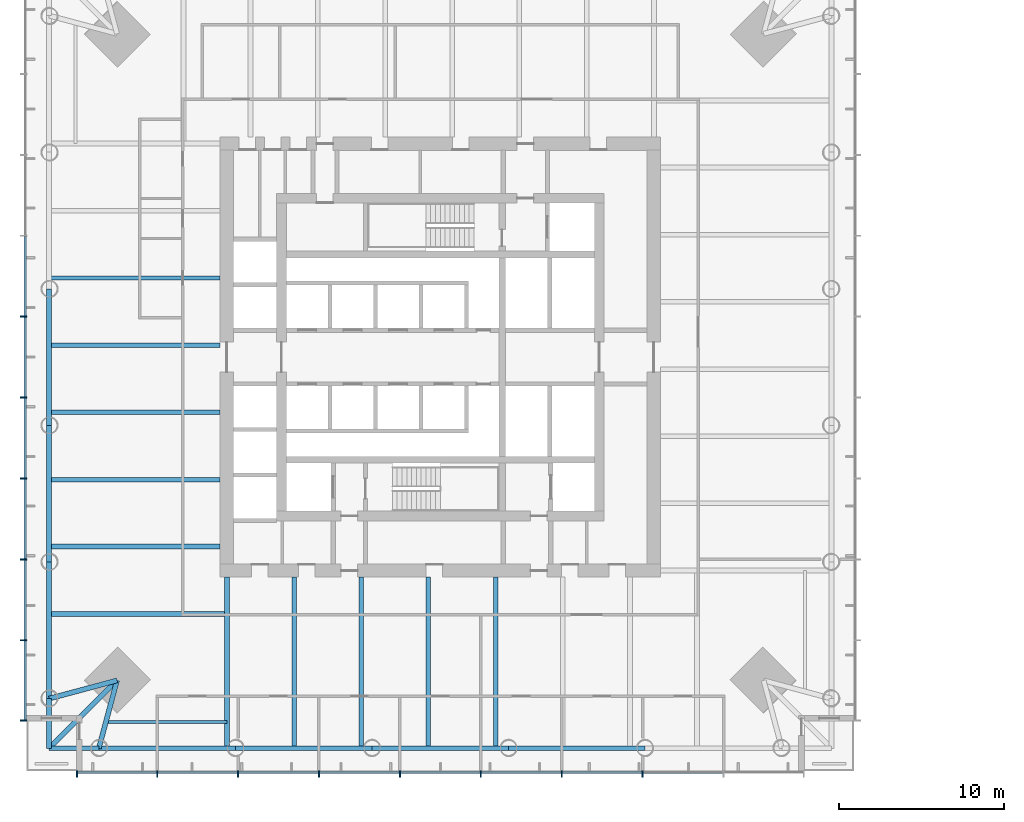
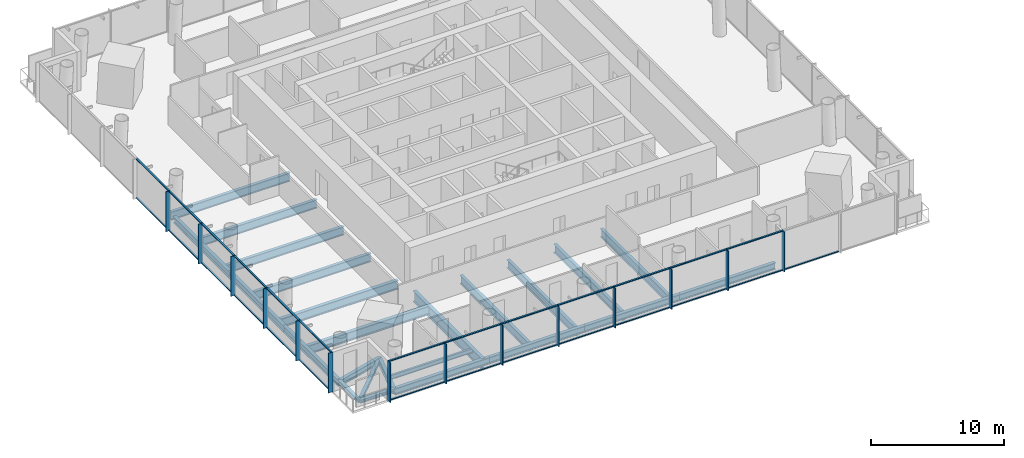
# One storey, part 2 of 21: 41 members, 24 beams, 2 elements without a shape of their own.
"""IFC4 building model written with IfcOpenShell, lengths in metres."""

from ifc_helpers import new_model, si_unit, direction, frame, origin, origin_2d, place, context, subcontext, project, spatial, rectangle, i_section, extrude, material, material_profile, profile_set, type_object, element, aggregate, save


model = new_model("IFC4")

# Units and contexts
model_context = context("Model", 3, precision=1e-05, world=origin(), true_north=direction((0.0, 1.0)))
body_context = subcontext(model_context, "Body", "Model", "MODEL_VIEW")
ifc_project = project(units=[si_unit("LENGTHUNIT", "METRE"), si_unit("AREAUNIT", "SQUARE_METRE"), si_unit("VOLUMEUNIT", "CUBIC_METRE"), si_unit("PLANEANGLEUNIT", "RADIAN"), si_unit("MASSUNIT", "GRAM", prefix="KILO")], contexts=[model_context])

# Site, building, storey
site_placement = place(None, origin())
site = spatial("IfcSite", under=ifc_project, at=site_placement, CompositionType="ELEMENT")
building_placement = place(site_placement, origin())
building = spatial("IfcBuilding", under=site, at=building_placement, Name="Ostroluk Exchange", CompositionType="ELEMENT")
storey_placement = place(building_placement, frame((0.0, 0.0, 32.39990234375)))
storey = spatial("IfcBuildingStorey", under=building, at=storey_placement, Name="L07", CompositionType="ELEMENT", Elevation=32.39990234375)

# Beams
ifc_material_1 = material(Name="Steel S355", Category="steel")
ifc_material_profile_1 = material_profile(ifc_material_1, i_section(OverallWidth=0.300048828125, OverallDepth=0.300048828125, WebThickness=0.010986328125, FlangeThickness=0.01904296875, FilletRadius=0.027099609375, at=origin_2d()), Name="HEB 300")
ifc_profile_set_1 = profile_set([ifc_material_profile_1], Name="Steel S355")
beam_type_1 = type_object("IfcBeamType", Name="Balcony beam HEB 300", PredefinedType="BEAM", material=ifc_profile_set_1)
for number, where, z_axis, x_axis, name in (
    (1, (21.3642578125, 25.3642578125, -0.329833984375), (0.0, -1.0, 0.0), (1.0, 0.0, 0.0), "T1 west balcony beam a"),
    (2, (24.3642578125, 22.3642578125, -0.329833984375), (-1.0, 0.0, 0.0), (0.0, -1.0, 0.0), "T1 west balcony beam b"),
):
    element("IfcBeam", number, at=place(storey_placement, frame(where, z_axis=z_axis, x_axis=x_axis)), inside=storey, type_object=beam_type_1, Name=name, PredefinedType="BEAM", context=body_context, shape_type="SweptSolid", body=[
        extrude(i_section(OverallWidth=0.300048828125, OverallDepth=0.300048828125, WebThickness=0.010986328125, FlangeThickness=0.01904296875, FilletRadius=0.027099609375, at=origin_2d()), origin(), (0.0, 0.0, 1.0), 3.0),
    ])
beam_1_placement = place(storey_placement, frame((25.46435546875, 26.46435546875, -0.329833984375), z_axis=(-0.707106781187, -0.707106781187, 0.0), x_axis=(0.707106781187, -0.707106781187, 0.0)))
element("IfcBeam", 3, at=beam_1_placement, inside=storey, type_object=beam_type_1, Name="T1 west balcony beam c", PredefinedType="BEAM", context=body_context, shape_type="SweptSolid", body=[
    extrude(i_section(OverallWidth=0.300048828125, OverallDepth=0.300048828125, WebThickness=0.010986328125, FlangeThickness=0.01904296875, FilletRadius=0.027099609375, at=origin_2d()), origin(), (0.0, 0.0, 1.0), 5.79833984375),
])
ifc_material_2 = material(Name="Steel S355", Category="steel")
ifc_material_profile_2 = material_profile(ifc_material_2, i_section(OverallWidth=0.300048828125, OverallDepth=0.550048828125, WebThickness=0.014892578125, FlangeThickness=0.029052734375, FilletRadius=0.027099609375, at=origin_2d()), Name="HEB 550")
ifc_profile_set_2 = profile_set([ifc_material_profile_2], Name="Steel S355")
beam_type_2 = type_object("IfcBeamType", Name="Corner edge beam HEB 550", PredefinedType="SPANDREL", material=ifc_profile_set_2)
for number, where, z_axis, x_axis, name in (
    (4, (25.46435546875, 26.46435546875, -0.454833984375), (-0.965838624319, -0.259144268261, 0.0), (0.259144268261, -0.965838624319, 0.0), "T1 west corner edge beam a"),
    (5, (25.46435546875, 26.46435546875, -0.454833984375), (-0.259144268261, -0.965838624319, 0.0), (0.965838624319, -0.259144268261, 0.0), "T1 west corner edge beam b"),
):
    element("IfcBeam", number, at=place(storey_placement, frame(where, z_axis=z_axis, x_axis=x_axis)), inside=storey, type_object=beam_type_2, Name=name, PredefinedType="SPANDREL", context=body_context, shape_type="SweptSolid", body=[
        extrude(i_section(OverallWidth=0.300048828125, OverallDepth=0.550048828125, WebThickness=0.014892578125, FlangeThickness=0.029052734375, FilletRadius=0.027099609375, at=origin_2d()), origin(), (0.0, 0.0, 1.0), 4.2451171875),
    ])
ifc_material_3 = material(Name="Steel S355", Category="steel")
ifc_material_profile_3 = material_profile(ifc_material_3, i_section(OverallWidth=0.302978515625, OverallDepth=0.81396484375, WebThickness=0.02099609375, FlangeThickness=0.0400390625, FilletRadius=0.030029296875, at=origin_2d()), Name="HEM 800")
ifc_profile_set_3 = profile_set([ifc_material_profile_3], Name="Steel S355")
beam_type_3 = type_object("IfcBeamType", Name="Floor beam HEM 800", PredefinedType="BEAM", material=ifc_profile_set_3)
beam_2_placement = place(storey_placement, frame((31.699951171875, 34.54296875, -0.5869140625), z_axis=(-1.0, 0.0, 0.0), x_axis=(0.0, -1.0, 0.0)))
element("IfcBeam", 6, at=beam_2_placement, inside=storey, type_object=beam_type_3, Name="T1 west floor beam 6", PredefinedType="BEAM", context=body_context, shape_type="SweptSolid", body=[
    extrude(i_section(OverallWidth=0.302978515625, OverallDepth=0.81396484375, WebThickness=0.02099609375, FlangeThickness=0.0400390625, FilletRadius=0.030029296875, at=origin_2d()), origin(), (0.0, 0.0, 1.0), 10.335693359375),
])
beam_3_placement = place(storey_placement, frame((32.10009765625, 30.4833984375, -0.5869140625), z_axis=(-1.0, 0.0, 0.0), x_axis=(0.0, -1.0, 0.0)))
element("IfcBeam", 7, at=beam_3_placement, inside=storey, type_object=beam_type_3, Name="T1 west floor beam 7", PredefinedType="BEAM", context=body_context, shape_type="SweptSolid", body=[
    extrude(i_section(OverallWidth=0.302978515625, OverallDepth=0.81396484375, WebThickness=0.02099609375, FlangeThickness=0.0400390625, FilletRadius=0.030029296875, at=origin_2d()), origin(), (0.0, 0.0, 1.0), 10.73583984375),
])
ifc_material_4 = material(Name="Steel S355", Category="steel")
ifc_material_profile_4 = material_profile(ifc_material_4, i_section(OverallWidth=0.179931640625, OverallDepth=0.39990234375, WebThickness=0.008544921875, FlangeThickness=0.013427734375, FilletRadius=0.02099609375, at=origin_2d()), Name="IPE 400")
ifc_profile_set_4 = profile_set([ifc_material_profile_4], Name="Steel S355")
beam_type_4 = type_object("IfcBeamType", Name="Floor beam IPE 400", PredefinedType="BEAM", material=ifc_profile_set_4)
beam_4_placement = place(storey_placement, frame((32.10009765625, 23.96435546875, -0.3798828125), z_axis=(-1.0, 0.0, 0.0), x_axis=(0.0, -1.0, 0.0)))
element("IfcBeam", 8, at=beam_4_placement, inside=storey, type_object=beam_type_4, Name="T1 west floor beam 8", PredefinedType="BEAM", context=body_context, shape_type="SweptSolid", body=[
    extrude(i_section(OverallWidth=0.179931640625, OverallDepth=0.39990234375, WebThickness=0.008544921875, FlangeThickness=0.013427734375, FilletRadius=0.02099609375, at=origin_2d()), origin(), (0.0, 0.0, 1.0), 7.306640625),
])
ifc_material_5 = material(Name="Steel S355", Category="steel")
ifc_material_profile_5 = material_profile(ifc_material_5, i_section(OverallWidth=0.26806640625, OverallDepth=0.77001953125, WebThickness=0.015625, FlangeThickness=0.025390625, FilletRadius=0.01708984375, at=origin_2d()), Name="IPE 750x196")
ifc_profile_set_5 = profile_set([ifc_material_profile_5], Name="Steel S355")
beam_type_5 = type_object("IfcBeamType", Name="Floor beam IPE 750x196", PredefinedType="BEAM", material=ifc_profile_set_5)
for number, where, z_axis, x_axis, name in (
    (9, (31.699951171875, 50.781005859375, -0.56494140625), (-1.0, 0.0, 0.0), (0.0, -1.0, 0.0), "T1 west floor beam 2"),
    (10, (31.699951171875, 46.721435546875, -0.56494140625), (-1.0, 0.0, 0.0), (0.0, -1.0, 0.0), "T1 west floor beam 3"),
    (11, (31.699951171875, 42.661865234375, -0.56494140625), (-1.0, 0.0, 0.0), (0.0, -1.0, 0.0), "T1 west floor beam 4"),
    (12, (31.699951171875, 38.602294921875, -0.56494140625), (-1.0, 0.0, 0.0), (0.0, -1.0, 0.0), "T1 west floor beam 5"),
    (13, (36.159423828125, 32.699951171875, -0.56494140625), (0.0, -1.0, 0.0), (1.0, 0.0, 0.0), "T1 south floor beam 1"),
    (14, (40.218994140625, 32.699951171875, -0.56494140625), (0.0, -1.0, 0.0), (1.0, 0.0, 0.0), "T1 south floor beam 2"),
    (15, (44.278564453125, 32.699951171875, -0.56494140625), (0.0, -1.0, 0.0), (1.0, 0.0, 0.0), "T1 south floor beam 3"),
    (16, (48.338134765625, 32.699951171875, -0.56494140625), (0.0, -1.0, 0.0), (1.0, 0.0, 0.0), "T1 south floor beam 4"),
):
    element("IfcBeam", number, at=place(storey_placement, frame(where, z_axis=z_axis, x_axis=x_axis)), inside=storey, type_object=beam_type_5, Name=name, PredefinedType="BEAM", context=body_context, shape_type="SweptSolid", body=[
        extrude(i_section(OverallWidth=0.26806640625, OverallDepth=0.77001953125, WebThickness=0.015625, FlangeThickness=0.025390625, FilletRadius=0.01708984375, at=origin_2d()), origin(), (0.0, 0.0, 1.0), 10.335693359375),
    ])
ifc_material_6 = material(Name="Steel S355", Category="steel")
ifc_material_profile_6 = material_profile(ifc_material_6, i_section(OverallWidth=0.302001953125, OverallDepth=1.008056640625, WebThickness=0.02099609375, FlangeThickness=0.0400390625, FilletRadius=0.030029296875, at=origin_2d()), Name="HEM 1000")
ifc_profile_set_6 = profile_set([ifc_material_profile_6], Name="Steel S355")
beam_type_6 = type_object("IfcBeamType", Name="Girder HEM 1000", PredefinedType="BEAM", material=ifc_profile_set_6)
beam_5_placement = place(storey_placement, frame((32.10009765625, 32.699951171875, -0.683837890625), z_axis=(0.0, -1.0, 0.0), x_axis=(1.0, 0.0, 0.0)))
element("IfcBeam", 17, at=beam_5_placement, inside=storey, type_object=beam_type_6, Name="T1 west girder", PredefinedType="BEAM", context=body_context, shape_type="SweptSolid", body=[
    extrude(i_section(OverallWidth=0.302001953125, OverallDepth=1.008056640625, WebThickness=0.02099609375, FlangeThickness=0.0400390625, FilletRadius=0.030029296875, at=origin_2d()), origin(), (0.0, 0.0, 1.0), 10.335693359375),
])
ifc_material_7 = material(Name="Steel S355", Category="steel")
ifc_material_profile_7 = material_profile(ifc_material_7, i_section(OverallWidth=0.300048828125, OverallDepth=0.60009765625, WebThickness=0.015380859375, FlangeThickness=0.030029296875, FilletRadius=0.027099609375, at=origin_2d()), Name="HEB 600")
ifc_profile_set_7 = profile_set([ifc_material_profile_7], Name="Steel S355")
beam_type_7 = type_object("IfcBeamType", Name="Moment-connected edge beam HEB 600", PredefinedType="SPANDREL", material=ifc_profile_set_7)
beam_6_placement = place(storey_placement, frame((21.3642578125, 50.127197265625, -0.47998046875), z_axis=(0.0, -1.0, 0.0), x_axis=(1.0, 0.0, 0.0)))
element("IfcBeam", 18, at=beam_6_placement, inside=storey, type_object=beam_type_7, Name="T1 west edge beam 3", PredefinedType="SPANDREL", context=body_context, shape_type="SweptSolid", body=[
    extrude(i_section(OverallWidth=0.300048828125, OverallDepth=0.60009765625, WebThickness=0.015380859375, FlangeThickness=0.030029296875, FilletRadius=0.027099609375, at=origin_2d()), origin(), (0.0, 0.0, 1.0), 8.25439453125),
])
beam_7_placement = place(storey_placement, frame((21.3642578125, 41.872802734375, -0.47998046875), z_axis=(0.0, -1.0, 0.0), x_axis=(1.0, 0.0, 0.0)))
element("IfcBeam", 19, at=beam_7_placement, inside=storey, type_object=beam_type_7, Name="T1 west edge beam 4", PredefinedType="SPANDREL", context=body_context, shape_type="SweptSolid", body=[
    extrude(i_section(OverallWidth=0.300048828125, OverallDepth=0.60009765625, WebThickness=0.015380859375, FlangeThickness=0.030029296875, FilletRadius=0.027099609375, at=origin_2d()), origin(), (0.0, 0.0, 1.0), 8.254150390625),
])
for number, where, z_axis, x_axis, name in (
    (20, (21.3642578125, 33.61865234375, -0.47998046875), (0.0, -1.0, 0.0), (1.0, 0.0, 0.0), "T1 west edge beam 5"),
    (21, (24.3642578125, 22.3642578125, -0.47998046875), (1.0, 0.0, 0.0), (0.0, 1.0, 0.0), "T1 south edge beam 1"),
):
    element("IfcBeam", number, at=place(storey_placement, frame(where, z_axis=z_axis, x_axis=x_axis)), inside=storey, type_object=beam_type_7, Name=name, PredefinedType="SPANDREL", context=body_context, shape_type="SweptSolid", body=[
        extrude(i_section(OverallWidth=0.300048828125, OverallDepth=0.60009765625, WebThickness=0.015380859375, FlangeThickness=0.030029296875, FilletRadius=0.027099609375, at=origin_2d()), origin(), (0.0, 0.0, 1.0), 8.25439453125),
    ])
beam_8_placement = place(storey_placement, frame((32.61865234375, 22.3642578125, -0.47998046875), z_axis=(1.0, 0.0, 0.0), x_axis=(0.0, 1.0, 0.0)))
element("IfcBeam", 22, at=beam_8_placement, inside=storey, type_object=beam_type_7, Name="T1 south edge beam 2", PredefinedType="SPANDREL", context=body_context, shape_type="SweptSolid", body=[
    extrude(i_section(OverallWidth=0.300048828125, OverallDepth=0.60009765625, WebThickness=0.015380859375, FlangeThickness=0.030029296875, FilletRadius=0.027099609375, at=origin_2d()), origin(), (0.0, 0.0, 1.0), 8.254150390625),
])
beam_9_placement = place(storey_placement, frame((40.872802734375, 22.3642578125, -0.47998046875), z_axis=(1.0, 0.0, 0.0), x_axis=(0.0, 1.0, 0.0)))
element("IfcBeam", 23, at=beam_9_placement, inside=storey, type_object=beam_type_7, Name="T1 south edge beam 3", PredefinedType="SPANDREL", context=body_context, shape_type="SweptSolid", body=[
    extrude(i_section(OverallWidth=0.300048828125, OverallDepth=0.60009765625, WebThickness=0.015380859375, FlangeThickness=0.030029296875, FilletRadius=0.027099609375, at=origin_2d()), origin(), (0.0, 0.0, 1.0), 8.25439453125),
])
beam_10_placement = place(storey_placement, frame((49.127197265625, 22.3642578125, -0.47998046875), z_axis=(1.0, 0.0, 0.0), x_axis=(0.0, 1.0, 0.0)))
element("IfcBeam", 24, at=beam_10_placement, inside=storey, type_object=beam_type_7, Name="T1 south edge beam 4", PredefinedType="SPANDREL", context=body_context, shape_type="SweptSolid", body=[
    extrude(i_section(OverallWidth=0.300048828125, OverallDepth=0.60009765625, WebThickness=0.015380859375, FlangeThickness=0.030029296875, FilletRadius=0.027099609375, at=origin_2d()), origin(), (0.0, 0.0, 1.0), 8.254150390625),
])

# Curtain wall, members
ifc_material_8 = material(Name="Laminated clear glass", Category="glass")
curtain_wall_type = type_object("IfcCurtainWallType", Name="Office tower facade", PredefinedType="USERDEFINED", material=ifc_material_8)
curtain_wall_1_placement = place(storey_placement, origin())
curtain_wall_1 = element("IfcCurtainWall", 25, at=curtain_wall_1_placement, inside=storey, type_object=curtain_wall_type, Name="Office tower south facade L07", ObjectType="UNITISED CURTAIN WALL", PredefinedType="USERDEFINED")
ifc_material_9 = material(Name="Aluminium mullion", Category="aluminium")
ifc_material_profile_8 = material_profile(ifc_material_9, rectangle(XDim=0.14990234375, YDim=0.080078125, at=origin_2d()), Name="Sill transom 80 x 150")
ifc_profile_set_8 = profile_set([ifc_material_profile_8], Name="Aluminium mullion")
member_type_1 = type_object("IfcMemberType", Name="Sill transom 80 x 150", PredefinedType="USERDEFINED", material=ifc_profile_set_8)
member_1_placement = place(storey_placement, frame((23.080078125, 20.925048828125, 0.0400390625), z_axis=(1.0, 0.0, 0.0), x_axis=(0.0, 1.0, 0.0)))
member_1 = element("IfcMember", 26, at=member_1_placement, type_object=member_type_1, Name="CW-O1 transom 1.1", ObjectType="TRANSOM", PredefinedType="USERDEFINED", context=body_context, shape_type="SweptSolid", body=[
    extrude(rectangle(XDim=0.14990234375, YDim=0.080078125, at=origin_2d()), origin(), (0.0, 0.0, 1.0), 4.768798828125),
])
member_2_placement = place(storey_placement, frame((23.080078125, 20.925048828125, 3.610107421875), z_axis=(1.0, 0.0, 0.0), x_axis=(0.0, 1.0, 0.0)))
member_2 = element("IfcMember", 27, at=member_2_placement, type_object=member_type_1, Name="CW-O1 transom 1.2", ObjectType="TRANSOM", PredefinedType="USERDEFINED", context=body_context, shape_type="SweptSolid", body=[
    extrude(rectangle(XDim=0.14990234375, YDim=0.080078125, at=origin_2d()), origin(), (0.0, 0.0, 1.0), 4.768798828125),
])
member_3_placement = place(storey_placement, frame((27.928955078125, 20.925048828125, 0.0400390625), z_axis=(1.0, 0.0, 0.0), x_axis=(0.0, 1.0, 0.0)))
member_3 = element("IfcMember", 28, at=member_3_placement, type_object=member_type_1, Name="CW-O1 transom 2.1", ObjectType="TRANSOM", PredefinedType="USERDEFINED", context=body_context, shape_type="SweptSolid", body=[
    extrude(rectangle(XDim=0.14990234375, YDim=0.080078125, at=origin_2d()), origin(), (0.0, 0.0, 1.0), 4.808837890625),
])
member_4_placement = place(storey_placement, frame((27.928955078125, 20.925048828125, 3.610107421875), z_axis=(1.0, 0.0, 0.0), x_axis=(0.0, 1.0, 0.0)))
member_4 = element("IfcMember", 29, at=member_4_placement, type_object=member_type_1, Name="CW-O1 transom 2.2", ObjectType="TRANSOM", PredefinedType="USERDEFINED", context=body_context, shape_type="SweptSolid", body=[
    extrude(rectangle(XDim=0.14990234375, YDim=0.080078125, at=origin_2d()), origin(), (0.0, 0.0, 1.0), 4.808837890625),
])
member_5_placement = place(storey_placement, frame((32.81787109375, 20.925048828125, 0.0400390625), z_axis=(1.0, 0.0, 0.0), x_axis=(0.0, 1.0, 0.0)))
member_5 = element("IfcMember", 30, at=member_5_placement, type_object=member_type_1, Name="CW-O1 transom 3.1", ObjectType="TRANSOM", PredefinedType="USERDEFINED", context=body_context, shape_type="SweptSolid", body=[
    extrude(rectangle(XDim=0.14990234375, YDim=0.080078125, at=origin_2d()), origin(), (0.0, 0.0, 1.0), 4.808837890625),
])
member_6_placement = place(storey_placement, frame((32.81787109375, 20.925048828125, 3.610107421875), z_axis=(1.0, 0.0, 0.0), x_axis=(0.0, 1.0, 0.0)))
member_6 = element("IfcMember", 31, at=member_6_placement, type_object=member_type_1, Name="CW-O1 transom 3.2", ObjectType="TRANSOM", PredefinedType="USERDEFINED", context=body_context, shape_type="SweptSolid", body=[
    extrude(rectangle(XDim=0.14990234375, YDim=0.080078125, at=origin_2d()), origin(), (0.0, 0.0, 1.0), 4.808837890625),
])
member_7_placement = place(storey_placement, frame((37.706787109375, 20.925048828125, 0.0400390625), z_axis=(1.0, 0.0, 0.0), x_axis=(0.0, 1.0, 0.0)))
member_7 = element("IfcMember", 32, at=member_7_placement, type_object=member_type_1, Name="CW-O1 transom 4.1", ObjectType="TRANSOM", PredefinedType="USERDEFINED", context=body_context, shape_type="SweptSolid", body=[
    extrude(rectangle(XDim=0.14990234375, YDim=0.080078125, at=origin_2d()), origin(), (0.0, 0.0, 1.0), 4.808837890625),
])
member_8_placement = place(storey_placement, frame((37.706787109375, 20.925048828125, 3.610107421875), z_axis=(1.0, 0.0, 0.0), x_axis=(0.0, 1.0, 0.0)))
member_8 = element("IfcMember", 33, at=member_8_placement, type_object=member_type_1, Name="CW-O1 transom 4.2", ObjectType="TRANSOM", PredefinedType="USERDEFINED", context=body_context, shape_type="SweptSolid", body=[
    extrude(rectangle(XDim=0.14990234375, YDim=0.080078125, at=origin_2d()), origin(), (0.0, 0.0, 1.0), 4.808837890625),
])
member_9_placement = place(storey_placement, frame((42.595458984375, 20.925048828125, 0.0400390625), z_axis=(1.0, 0.0, 0.0), x_axis=(0.0, 1.0, 0.0)))
member_9 = element("IfcMember", 34, at=member_9_placement, type_object=member_type_1, Name="CW-O1 transom 5.1", ObjectType="TRANSOM", PredefinedType="USERDEFINED", context=body_context, shape_type="SweptSolid", body=[
    extrude(rectangle(XDim=0.14990234375, YDim=0.080078125, at=origin_2d()), origin(), (0.0, 0.0, 1.0), 4.80908203125),
])
member_10_placement = place(storey_placement, frame((42.595458984375, 20.925048828125, 3.610107421875), z_axis=(1.0, 0.0, 0.0), x_axis=(0.0, 1.0, 0.0)))
member_10 = element("IfcMember", 35, at=member_10_placement, type_object=member_type_1, Name="CW-O1 transom 5.2", ObjectType="TRANSOM", PredefinedType="USERDEFINED", context=body_context, shape_type="SweptSolid", body=[
    extrude(rectangle(XDim=0.14990234375, YDim=0.080078125, at=origin_2d()), origin(), (0.0, 0.0, 1.0), 4.80908203125),
])
member_11_placement = place(storey_placement, frame((47.484375, 20.925048828125, 0.0400390625), z_axis=(1.0, 0.0, 0.0), x_axis=(0.0, 1.0, 0.0)))
member_11 = element("IfcMember", 36, at=member_11_placement, type_object=member_type_1, Name="CW-O1 transom 6.1", ObjectType="TRANSOM", PredefinedType="USERDEFINED", context=body_context, shape_type="SweptSolid", body=[
    extrude(rectangle(XDim=0.14990234375, YDim=0.080078125, at=origin_2d()), origin(), (0.0, 0.0, 1.0), 4.808837890625),
])
member_12_placement = place(storey_placement, frame((47.484375, 20.925048828125, 3.610107421875), z_axis=(1.0, 0.0, 0.0), x_axis=(0.0, 1.0, 0.0)))
member_12 = element("IfcMember", 37, at=member_12_placement, type_object=member_type_1, Name="CW-O1 transom 6.2", ObjectType="TRANSOM", PredefinedType="USERDEFINED", context=body_context, shape_type="SweptSolid", body=[
    extrude(rectangle(XDim=0.14990234375, YDim=0.080078125, at=origin_2d()), origin(), (0.0, 0.0, 1.0), 4.808837890625),
])
member_13_placement = place(storey_placement, frame((52.373291015625, 20.925048828125, 0.0400390625), z_axis=(1.0, 0.0, 0.0), x_axis=(0.0, 1.0, 0.0)))
member_13 = element("IfcMember", 38, at=member_13_placement, type_object=member_type_1, Name="CW-O1 transom 7.1", ObjectType="TRANSOM", PredefinedType="USERDEFINED", context=body_context, shape_type="SweptSolid", body=[
    extrude(rectangle(XDim=0.14990234375, YDim=0.080078125, at=origin_2d()), origin(), (0.0, 0.0, 1.0), 4.808837890625),
])
member_14_placement = place(storey_placement, frame((52.373291015625, 20.925048828125, 3.610107421875), z_axis=(1.0, 0.0, 0.0), x_axis=(0.0, 1.0, 0.0)))
member_14 = element("IfcMember", 39, at=member_14_placement, type_object=member_type_1, Name="CW-O1 transom 7.2", ObjectType="TRANSOM", PredefinedType="USERDEFINED", context=body_context, shape_type="SweptSolid", body=[
    extrude(rectangle(XDim=0.14990234375, YDim=0.080078125, at=origin_2d()), origin(), (0.0, 0.0, 1.0), 4.808837890625),
])
member_15_placement = place(storey_placement, frame((57.26220703125, 20.925048828125, 0.0400390625), z_axis=(1.0, 0.0, 0.0), x_axis=(0.0, 1.0, 0.0)))
member_15 = element("IfcMember", 40, at=member_15_placement, type_object=member_type_1, Name="CW-O1 transom 8.1", ObjectType="TRANSOM", PredefinedType="USERDEFINED", context=body_context, shape_type="SweptSolid", body=[
    extrude(rectangle(XDim=0.14990234375, YDim=0.080078125, at=origin_2d()), origin(), (0.0, 0.0, 1.0), 4.808837890625),
])

curtain_wall_2_placement = place(storey_placement, origin())
curtain_wall_2 = element("IfcCurtainWall", 41, at=curtain_wall_2_placement, inside=storey, type_object=curtain_wall_type, Name="Office tower west facade L07", ObjectType="UNITISED CURTAIN WALL", PredefinedType="USERDEFINED")
member_16_placement = place(storey_placement, frame((19.925048828125, 53.293212890625, 0.0400390625), z_axis=(0.0, -1.0, 0.0), x_axis=(1.0, 0.0, 0.0)))
member_16 = element("IfcMember", 42, at=member_16_placement, type_object=member_type_1, Name="CW-O1 transom 4.1", ObjectType="TRANSOM", PredefinedType="USERDEFINED", context=body_context, shape_type="SweptSolid", body=[
    extrude(rectangle(XDim=0.14990234375, YDim=0.080078125, at=origin_2d()), origin(), (0.0, 0.0, 1.0), 4.808837890625),
])
member_17_placement = place(storey_placement, frame((19.925048828125, 53.293212890625, 3.610107421875), z_axis=(0.0, -1.0, 0.0), x_axis=(1.0, 0.0, 0.0)))
member_17 = element("IfcMember", 43, at=member_17_placement, type_object=member_type_1, Name="CW-O1 transom 4.2", ObjectType="TRANSOM", PredefinedType="USERDEFINED", context=body_context, shape_type="SweptSolid", body=[
    extrude(rectangle(XDim=0.14990234375, YDim=0.080078125, at=origin_2d()), origin(), (0.0, 0.0, 1.0), 4.808837890625),
])
member_18_placement = place(storey_placement, frame((19.925048828125, 48.404541015625, 0.0400390625), z_axis=(0.0, -1.0, 0.0), x_axis=(1.0, 0.0, 0.0)))
member_18 = element("IfcMember", 44, at=member_18_placement, type_object=member_type_1, Name="CW-O1 transom 5.1", ObjectType="TRANSOM", PredefinedType="USERDEFINED", context=body_context, shape_type="SweptSolid", body=[
    extrude(rectangle(XDim=0.14990234375, YDim=0.080078125, at=origin_2d()), origin(), (0.0, 0.0, 1.0), 4.80908203125),
])
member_19_placement = place(storey_placement, frame((19.925048828125, 48.404541015625, 3.610107421875), z_axis=(0.0, -1.0, 0.0), x_axis=(1.0, 0.0, 0.0)))
member_19 = element("IfcMember", 45, at=member_19_placement, type_object=member_type_1, Name="CW-O1 transom 5.2", ObjectType="TRANSOM", PredefinedType="USERDEFINED", context=body_context, shape_type="SweptSolid", body=[
    extrude(rectangle(XDim=0.14990234375, YDim=0.080078125, at=origin_2d()), origin(), (0.0, 0.0, 1.0), 4.80908203125),
])
member_20_placement = place(storey_placement, frame((19.925048828125, 43.515625, 0.0400390625), z_axis=(0.0, -1.0, 0.0), x_axis=(1.0, 0.0, 0.0)))
member_20 = element("IfcMember", 46, at=member_20_placement, type_object=member_type_1, Name="CW-O1 transom 6.1", ObjectType="TRANSOM", PredefinedType="USERDEFINED", context=body_context, shape_type="SweptSolid", body=[
    extrude(rectangle(XDim=0.14990234375, YDim=0.080078125, at=origin_2d()), origin(), (0.0, 0.0, 1.0), 4.808837890625),
])
member_21_placement = place(storey_placement, frame((19.925048828125, 43.515625, 3.610107421875), z_axis=(0.0, -1.0, 0.0), x_axis=(1.0, 0.0, 0.0)))
member_21 = element("IfcMember", 47, at=member_21_placement, type_object=member_type_1, Name="CW-O1 transom 6.2", ObjectType="TRANSOM", PredefinedType="USERDEFINED", context=body_context, shape_type="SweptSolid", body=[
    extrude(rectangle(XDim=0.14990234375, YDim=0.080078125, at=origin_2d()), origin(), (0.0, 0.0, 1.0), 4.808837890625),
])
member_22_placement = place(storey_placement, frame((19.925048828125, 38.626708984375, 0.0400390625), z_axis=(0.0, -1.0, 0.0), x_axis=(1.0, 0.0, 0.0)))
member_22 = element("IfcMember", 48, at=member_22_placement, type_object=member_type_1, Name="CW-O1 transom 7.1", ObjectType="TRANSOM", PredefinedType="USERDEFINED", context=body_context, shape_type="SweptSolid", body=[
    extrude(rectangle(XDim=0.14990234375, YDim=0.080078125, at=origin_2d()), origin(), (0.0, 0.0, 1.0), 4.808837890625),
])
member_23_placement = place(storey_placement, frame((19.925048828125, 38.626708984375, 3.610107421875), z_axis=(0.0, -1.0, 0.0), x_axis=(1.0, 0.0, 0.0)))
member_23 = element("IfcMember", 49, at=member_23_placement, type_object=member_type_1, Name="CW-O1 transom 7.2", ObjectType="TRANSOM", PredefinedType="USERDEFINED", context=body_context, shape_type="SweptSolid", body=[
    extrude(rectangle(XDim=0.14990234375, YDim=0.080078125, at=origin_2d()), origin(), (0.0, 0.0, 1.0), 4.808837890625),
])
member_24_placement = place(storey_placement, frame((19.925048828125, 33.73779296875, 0.0400390625), z_axis=(0.0, -1.0, 0.0), x_axis=(1.0, 0.0, 0.0)))
member_24 = element("IfcMember", 50, at=member_24_placement, type_object=member_type_1, Name="CW-O1 transom 8.1", ObjectType="TRANSOM", PredefinedType="USERDEFINED", context=body_context, shape_type="SweptSolid", body=[
    extrude(rectangle(XDim=0.14990234375, YDim=0.080078125, at=origin_2d()), origin(), (0.0, 0.0, 1.0), 4.808837890625),
])
member_25_placement = place(storey_placement, frame((19.925048828125, 33.73779296875, 3.610107421875), z_axis=(0.0, -1.0, 0.0), x_axis=(1.0, 0.0, 0.0)))
member_25 = element("IfcMember", 51, at=member_25_placement, type_object=member_type_1, Name="CW-O1 transom 8.2", ObjectType="TRANSOM", PredefinedType="USERDEFINED", context=body_context, shape_type="SweptSolid", body=[
    extrude(rectangle(XDim=0.14990234375, YDim=0.080078125, at=origin_2d()), origin(), (0.0, 0.0, 1.0), 4.808837890625),
])
member_26_placement = place(storey_placement, frame((19.925048828125, 28.848876953125, 0.0400390625), z_axis=(0.0, -1.0, 0.0), x_axis=(1.0, 0.0, 0.0)))
member_26 = element("IfcMember", 52, at=member_26_placement, type_object=member_type_1, Name="CW-O1 transom 9.1", ObjectType="TRANSOM", PredefinedType="USERDEFINED", context=body_context, shape_type="SweptSolid", body=[
    extrude(rectangle(XDim=0.14990234375, YDim=0.080078125, at=origin_2d()), origin(), (0.0, 0.0, 1.0), 4.768798828125),
])
member_27_placement = place(storey_placement, frame((19.925048828125, 28.848876953125, 3.610107421875), z_axis=(0.0, -1.0, 0.0), x_axis=(1.0, 0.0, 0.0)))
member_27 = element("IfcMember", 53, at=member_27_placement, type_object=member_type_1, Name="CW-O1 transom 9.2", ObjectType="TRANSOM", PredefinedType="USERDEFINED", context=body_context, shape_type="SweptSolid", body=[
    extrude(rectangle(XDim=0.14990234375, YDim=0.080078125, at=origin_2d()), origin(), (0.0, 0.0, 1.0), 4.768798828125),
])

# Member
ifc_material_10 = material(Name="Aluminium mullion with limestone facing", Category="masonry")
ifc_material_profile_9 = material_profile(ifc_material_10, rectangle(XDim=0.39990234375, YDim=0.080078125, at=origin_2d()), Name="Tracery mullion 80 x 400")
ifc_profile_set_9 = profile_set([ifc_material_profile_9], Name="Aluminium mullion with limestone facing")
member_type_2 = type_object("IfcMemberType", Name="Tracery mullion 80 x 400", PredefinedType="MULLION", material=ifc_profile_set_9)
member_28_placement = place(storey_placement, frame((23.0400390625, 20.800048828125, 0.0), z_axis=(0.0, 0.0, 1.0), x_axis=(0.0, 1.0, 0.0)))
member_28 = element("IfcMember", 54, at=member_28_placement, type_object=member_type_2, Name="CW-O1 mullion 1", PredefinedType="MULLION", context=body_context, shape_type="SweptSolid", body=[
    extrude(rectangle(XDim=0.39990234375, YDim=0.080078125, at=origin_2d()), origin(), (0.0, 0.0, 1.0), 3.650146484375),
])

member_29_placement = place(storey_placement, frame((27.888916015625, 20.800048828125, 0.0), z_axis=(0.0, 0.0, 1.0), x_axis=(0.0, 1.0, 0.0)))
member_29 = element("IfcMember", 55, at=member_29_placement, type_object=member_type_2, Name="CW-O1 mullion 2", PredefinedType="MULLION", context=body_context, shape_type="SweptSolid", body=[
    extrude(rectangle(XDim=0.39990234375, YDim=0.080078125, at=origin_2d()), origin(), (0.0, 0.0, 1.0), 3.650146484375),
])

member_30_placement = place(storey_placement, frame((32.77783203125, 20.800048828125, 0.0), z_axis=(0.0, 0.0, 1.0), x_axis=(0.0, 1.0, 0.0)))
member_30 = element("IfcMember", 56, at=member_30_placement, type_object=member_type_2, Name="CW-O1 mullion 3", PredefinedType="MULLION", context=body_context, shape_type="SweptSolid", body=[
    extrude(rectangle(XDim=0.39990234375, YDim=0.080078125, at=origin_2d()), origin(), (0.0, 0.0, 1.0), 3.650146484375),
])

member_31_placement = place(storey_placement, frame((37.666748046875, 20.800048828125, 0.0), z_axis=(0.0, 0.0, 1.0), x_axis=(0.0, 1.0, 0.0)))
member_31 = element("IfcMember", 57, at=member_31_placement, type_object=member_type_2, Name="CW-O1 mullion 4", PredefinedType="MULLION", context=body_context, shape_type="SweptSolid", body=[
    extrude(rectangle(XDim=0.39990234375, YDim=0.080078125, at=origin_2d()), origin(), (0.0, 0.0, 1.0), 3.650146484375),
])

member_32_placement = place(storey_placement, frame((42.5556640625, 20.800048828125, 0.0), z_axis=(0.0, 0.0, 1.0), x_axis=(0.0, 1.0, 0.0)))
member_32 = element("IfcMember", 58, at=member_32_placement, type_object=member_type_2, Name="CW-O1 mullion 5", PredefinedType="MULLION", context=body_context, shape_type="SweptSolid", body=[
    extrude(rectangle(XDim=0.39990234375, YDim=0.080078125, at=origin_2d()), origin(), (0.0, 0.0, 1.0), 3.650146484375),
])

member_33_placement = place(storey_placement, frame((47.4443359375, 20.800048828125, 0.0), z_axis=(0.0, 0.0, 1.0), x_axis=(0.0, 1.0, 0.0)))
member_33 = element("IfcMember", 59, at=member_33_placement, type_object=member_type_2, Name="CW-O1 mullion 6", PredefinedType="MULLION", context=body_context, shape_type="SweptSolid", body=[
    extrude(rectangle(XDim=0.39990234375, YDim=0.080078125, at=origin_2d()), origin(), (0.0, 0.0, 1.0), 3.650146484375),
])

member_34_placement = place(storey_placement, frame((52.333251953125, 20.800048828125, 0.0), z_axis=(0.0, 0.0, 1.0), x_axis=(0.0, 1.0, 0.0)))
member_34 = element("IfcMember", 60, at=member_34_placement, type_object=member_type_2, Name="CW-O1 mullion 7", PredefinedType="MULLION", context=body_context, shape_type="SweptSolid", body=[
    extrude(rectangle(XDim=0.39990234375, YDim=0.080078125, at=origin_2d()), origin(), (0.0, 0.0, 1.0), 3.650146484375),
])

member_35_placement = place(storey_placement, frame((57.22216796875, 20.800048828125, 0.0), z_axis=(0.0, 0.0, 1.0), x_axis=(0.0, 1.0, 0.0)))
member_35 = element("IfcMember", 61, at=member_35_placement, type_object=member_type_2, Name="CW-O1 mullion 8", PredefinedType="MULLION", context=body_context, shape_type="SweptSolid", body=[
    extrude(rectangle(XDim=0.39990234375, YDim=0.080078125, at=origin_2d()), origin(), (0.0, 0.0, 1.0), 3.650146484375),
])

aggregate(curtain_wall_1, [member_28, member_29, member_30, member_31, member_32, member_33, member_34, member_35, member_1, member_2, member_3, member_4, member_5, member_6, member_7, member_8, member_9, member_10, member_11, member_12, member_13, member_14, member_15])

member_36_placement = place(storey_placement, frame((19.800048828125, 48.4443359375, 0.0), z_axis=(0.0, 0.0, 1.0), x_axis=(1.0, 0.0, 0.0)))
member_36 = element("IfcMember", 62, at=member_36_placement, type_object=member_type_2, Name="CW-O1 mullion 5", PredefinedType="MULLION", context=body_context, shape_type="SweptSolid", body=[
    extrude(rectangle(XDim=0.39990234375, YDim=0.080078125, at=origin_2d()), origin(), (0.0, 0.0, 1.0), 3.650146484375),
])

member_37_placement = place(storey_placement, frame((19.800048828125, 43.5556640625, 0.0), z_axis=(0.0, 0.0, 1.0), x_axis=(1.0, 0.0, 0.0)))
member_37 = element("IfcMember", 63, at=member_37_placement, type_object=member_type_2, Name="CW-O1 mullion 6", PredefinedType="MULLION", context=body_context, shape_type="SweptSolid", body=[
    extrude(rectangle(XDim=0.39990234375, YDim=0.080078125, at=origin_2d()), origin(), (0.0, 0.0, 1.0), 3.650146484375),
])

member_38_placement = place(storey_placement, frame((19.800048828125, 38.666748046875, 0.0), z_axis=(0.0, 0.0, 1.0), x_axis=(1.0, 0.0, 0.0)))
member_38 = element("IfcMember", 64, at=member_38_placement, type_object=member_type_2, Name="CW-O1 mullion 7", PredefinedType="MULLION", context=body_context, shape_type="SweptSolid", body=[
    extrude(rectangle(XDim=0.39990234375, YDim=0.080078125, at=origin_2d()), origin(), (0.0, 0.0, 1.0), 3.650146484375),
])

member_39_placement = place(storey_placement, frame((19.800048828125, 33.77783203125, 0.0), z_axis=(0.0, 0.0, 1.0), x_axis=(1.0, 0.0, 0.0)))
member_39 = element("IfcMember", 65, at=member_39_placement, type_object=member_type_2, Name="CW-O1 mullion 8", PredefinedType="MULLION", context=body_context, shape_type="SweptSolid", body=[
    extrude(rectangle(XDim=0.39990234375, YDim=0.080078125, at=origin_2d()), origin(), (0.0, 0.0, 1.0), 3.650146484375),
])

member_40_placement = place(storey_placement, frame((19.800048828125, 28.888916015625, 0.0), z_axis=(0.0, 0.0, 1.0), x_axis=(1.0, 0.0, 0.0)))
member_40 = element("IfcMember", 66, at=member_40_placement, type_object=member_type_2, Name="CW-O1 mullion 9", PredefinedType="MULLION", context=body_context, shape_type="SweptSolid", body=[
    extrude(rectangle(XDim=0.39990234375, YDim=0.080078125, at=origin_2d()), origin(), (0.0, 0.0, 1.0), 3.650146484375),
])

member_41_placement = place(storey_placement, frame((19.800048828125, 24.0400390625, 0.0), z_axis=(0.0, 0.0, 1.0), x_axis=(1.0, 0.0, 0.0)))
member_41 = element("IfcMember", 67, at=member_41_placement, type_object=member_type_2, Name="CW-O1 mullion 10", PredefinedType="MULLION", context=body_context, shape_type="SweptSolid", body=[
    extrude(rectangle(XDim=0.39990234375, YDim=0.080078125, at=origin_2d()), origin(), (0.0, 0.0, 1.0), 3.650146484375),
])

aggregate(curtain_wall_2, [member_36, member_37, member_38, member_39, member_40, member_41, member_16, member_17, member_18, member_19, member_20, member_21, member_22, member_23, member_24, member_25, member_26, member_27])

save(model, "model.ifc")
